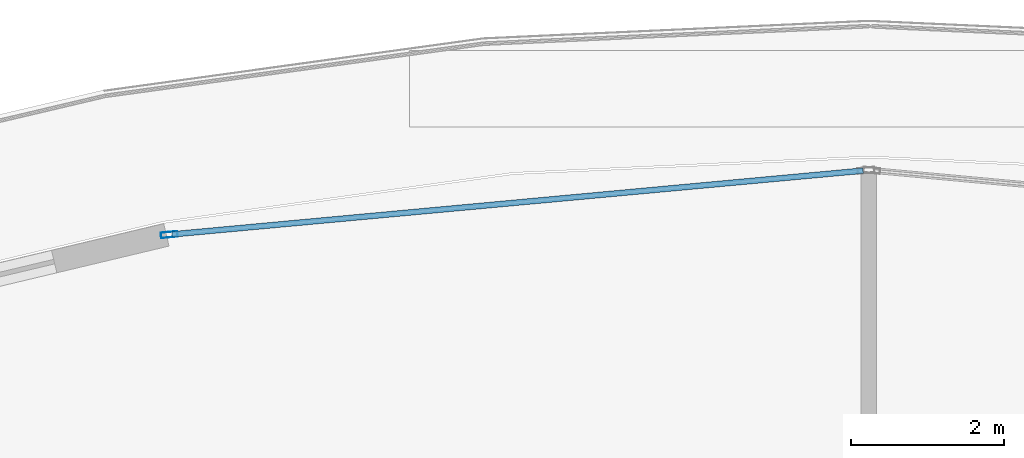
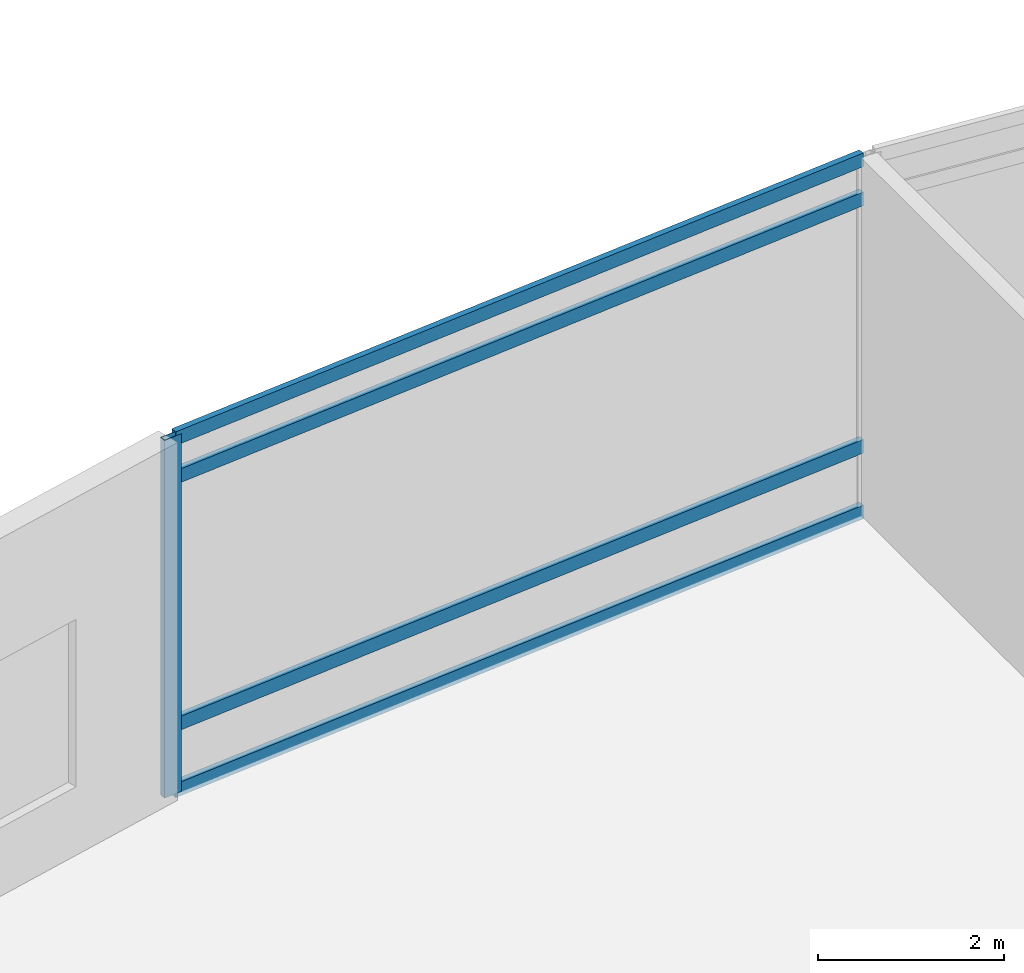
# One storey, part 18 of 36: 5 members, 1 element without a shape of its own.
"""IFC4 building model written with IfcOpenShell, lengths in metres."""

from ifc_helpers import new_model, si_unit, direction, frame, origin, origin_2d, place, context, subcontext, project, spatial, hollow_rectangle, extrude, material, layer, layer_set, material_profile, profile_set, type_object, element, aggregate, save


model = new_model("IFC4")

# Units and contexts
model_context = context("Model", 3, precision=1e-05, world=origin(), true_north=direction((0.0, 1.0)))
body_context = subcontext(model_context, "Body", "Model", "MODEL_VIEW")
ifc_project = project(units=[si_unit("LENGTHUNIT", "METRE"), si_unit("AREAUNIT", "SQUARE_METRE"), si_unit("VOLUMEUNIT", "CUBIC_METRE"), si_unit("PLANEANGLEUNIT", "RADIAN"), si_unit("MASSUNIT", "GRAM", prefix="KILO")], contexts=[model_context])

# Site, building, storey
site_placement = place(None, origin())
site = spatial("IfcSite", under=ifc_project, at=site_placement, CompositionType="ELEMENT")
building_placement = place(site_placement, origin())
building = spatial("IfcBuilding", under=site, at=building_placement, Name="Nuhasar Tower", CompositionType="ELEMENT")
storey_placement = place(building_placement, frame((0.0, 0.0, 11.0)))
storey = spatial("IfcBuildingStorey", under=building, at=storey_placement, Name="L02", CompositionType="ELEMENT", Elevation=11.0)

# Curtain wall, members
ifc_material = material(Name="Aluminium 6063-T6", Category="aluminium")
ifc_layer = layer(ifc_material, 0.219970703125)
ifc_layer_set = layer_set([ifc_layer], Name="Aluminium 6063-T6")
curtain_wall_type = type_object("IfcCurtainWallType", Name="CW-PODIUM", PredefinedType="NOTDEFINED", material=ifc_layer_set)
curtain_wall_placement = place(storey_placement, origin())
curtain_wall = element("IfcCurtainWall", 1, at=curtain_wall_placement, inside=storey, type_object=curtain_wall_type, Name="L02 Podium Curtain Wall Bay 07", PredefinedType="NOTDEFINED")
ifc_material_profile_1 = material_profile(ifc_material, hollow_rectangle(XDim=0.074951171875, YDim=0.219970703125, WallThickness=0.0048828125, at=origin_2d()), Name="CWM-1")
ifc_profile_set_1 = profile_set([ifc_material_profile_1], Name="Aluminium 6063-T6")
member_type_1 = type_object("IfcMemberType", Name="CW-MUL-S1", PredefinedType="MULLION", material=ifc_profile_set_1)
member_1_placement = place(storey_placement, frame((29.8642578125, 50.79736328125, 0.0), z_axis=(0.0, 0.0, 1.0), x_axis=(0.091837437601, -0.995774013045, 0.0)))
member_1 = element("IfcMember", 2, at=member_1_placement, type_object=member_type_1, Name="CW-P1 mullion 2", PredefinedType="MULLION", context=body_context, shape_type="SweptSolid", body=[
    extrude(hollow_rectangle(XDim=0.074951171875, YDim=0.219970703125, WallThickness=0.0048828125, at=origin_2d()), origin(), (0.0, 0.0, 1.0), 4.699951171875),
])
ifc_material_profile_2 = material_profile(ifc_material, hollow_rectangle(XDim=0.074951171875, YDim=0.179931640625, WallThickness=0.00439453125, at=origin_2d()), Name="CWT-1")
ifc_profile_set_2 = profile_set([ifc_material_profile_2], Name="Aluminium 6063-T6")
member_type_2 = type_object("IfcMemberType", Name="CW-TRN-S1", PredefinedType="USERDEFINED", material=ifc_profile_set_2)
member_2_placement = place(storey_placement, frame((38.92529296875, 51.633056640625, 0.03759765625), z_axis=(-0.995773542735, -0.091842536922, 0.0), x_axis=(0.091842536922, -0.995773542735, 0.0)))
member_2 = element("IfcMember", 3, at=member_2_placement, type_object=member_type_2, Name="CW-P1 transom 1.1", ObjectType="TRANSOM", PredefinedType="USERDEFINED", context=body_context, shape_type="SweptSolid", body=[
    extrude(hollow_rectangle(XDim=0.074951171875, YDim=0.179931640625, WallThickness=0.00439453125, at=origin_2d()), origin(), (0.0, 0.0, 1.0), 9.06201171875),
])
member_3_placement = place(storey_placement, frame((38.92529296875, 51.633056640625, 0.89990234375), z_axis=(-0.995773542735, -0.091842536922, 0.0), x_axis=(0.091842536922, -0.995773542735, 0.0)))
member_3 = element("IfcMember", 4, at=member_3_placement, type_object=member_type_2, Name="CW-P1 transom 1.2", ObjectType="TRANSOM", PredefinedType="USERDEFINED", context=body_context, shape_type="SweptSolid", body=[
    extrude(hollow_rectangle(XDim=0.074951171875, YDim=0.179931640625, WallThickness=0.00439453125, at=origin_2d()), origin(), (0.0, 0.0, 1.0), 9.06201171875),
])
member_4_placement = place(storey_placement, frame((38.92529296875, 51.633056640625, 4.14990234375), z_axis=(-0.995773542735, -0.091842536922, 0.0), x_axis=(0.091842536922, -0.995773542735, 0.0)))
member_4 = element("IfcMember", 5, at=member_4_placement, type_object=member_type_2, Name="CW-P1 transom 1.3", ObjectType="TRANSOM", PredefinedType="USERDEFINED", context=body_context, shape_type="SweptSolid", body=[
    extrude(hollow_rectangle(XDim=0.074951171875, YDim=0.179931640625, WallThickness=0.00439453125, at=origin_2d()), origin(), (0.0, 0.0, 1.0), 9.06201171875),
])
member_5_placement = place(storey_placement, frame((38.92529296875, 51.633056640625, 4.66259765625), z_axis=(-0.995773542735, -0.091842536922, 0.0), x_axis=(0.091842536922, -0.995773542735, 0.0)))
member_5 = element("IfcMember", 6, at=member_5_placement, type_object=member_type_2, Name="CW-P1 transom 1.4", ObjectType="TRANSOM", PredefinedType="USERDEFINED", context=body_context, shape_type="SweptSolid", body=[
    extrude(hollow_rectangle(XDim=0.074951171875, YDim=0.179931640625, WallThickness=0.00439453125, at=origin_2d()), origin(), (0.0, 0.0, 1.0), 9.06201171875),
])
aggregate(curtain_wall, [member_1, member_2, member_3, member_4, member_5])

save(model, "model.ifc")
